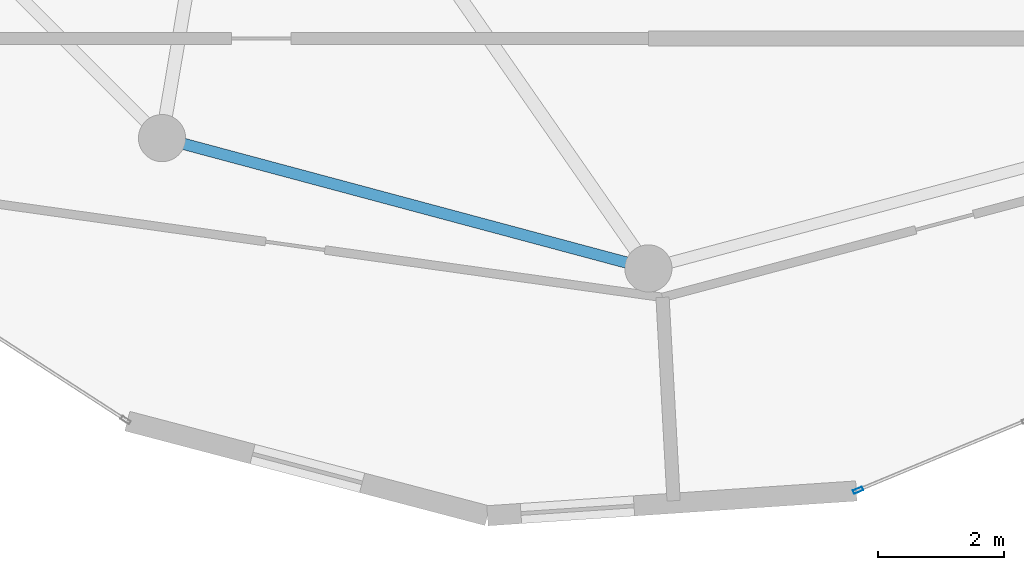
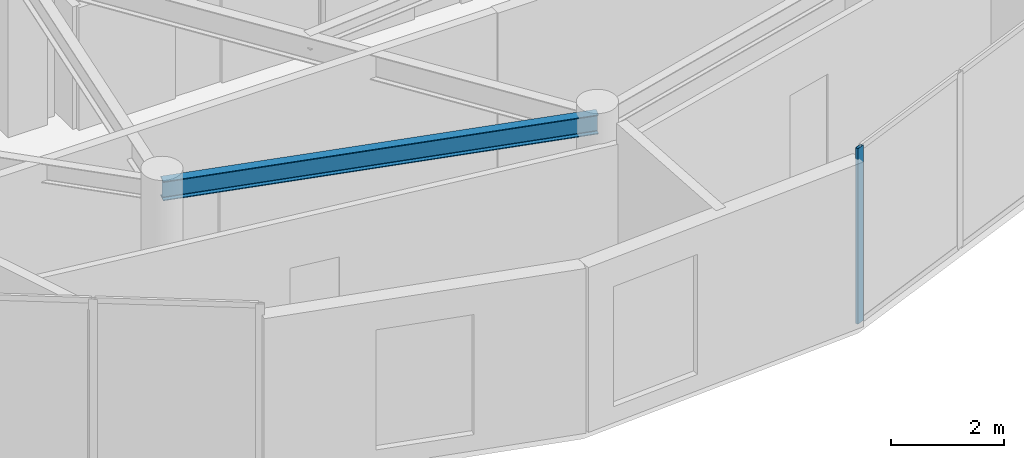
# One storey, part 5 of 22: 1 beam, 1 member, 1 element without a shape of its own.
"""IFC4 building model written with IfcOpenShell, lengths in metres."""

from ifc_helpers import new_model, si_unit, direction, frame, origin, origin_2d, place, context, subcontext, project, spatial, hollow_rectangle, i_section, extrude, source, transform, mapped, material, layer, layer_set, material_profile, profile_set, type_object, element, aggregate, save


model = new_model("IFC4")

# Units and contexts
model_context = context("Model", 3, precision=1e-05, world=origin(), true_north=direction((0.0, 1.0)))
body_context = subcontext(model_context, "Body", "Model", "MODEL_VIEW")
ifc_project = project(units=[si_unit("LENGTHUNIT", "METRE"), si_unit("AREAUNIT", "SQUARE_METRE"), si_unit("VOLUMEUNIT", "CUBIC_METRE"), si_unit("PLANEANGLEUNIT", "RADIAN"), si_unit("MASSUNIT", "GRAM", prefix="KILO")], contexts=[model_context])

# Site, building, storey
site_placement = place(None, origin())
site = spatial("IfcSite", under=ifc_project, at=site_placement, CompositionType="ELEMENT")
building_placement = place(site_placement, origin())
building = spatial("IfcBuilding", under=site, at=building_placement, Name="Solvirekh Grand Hotel", CompositionType="ELEMENT")
storey_placement = place(building_placement, frame((0.0, 0.0, 239.199951171875)))
storey = spatial("IfcBuildingStorey", under=building, at=storey_placement, Name="L62", CompositionType="ELEMENT", Elevation=239.199951171875)

# Beam
ifc_material_1 = material(Name="Steel S355", Category="steel")
ifc_material_profile_1 = material_profile(ifc_material_1, i_section(OverallWidth=0.180908203125, OverallDepth=0.4169921875, WebThickness=0.010009765625, FlangeThickness=0.01611328125, FilletRadius=0.011962890625, at=origin_2d()), Name="W410X85")
ifc_profile_set_1 = profile_set([ifc_material_profile_1], Name="Steel S355")
beam_type = type_object("IfcBeamType", Name="Spandrel_Ring_W410", PredefinedType="SPANDREL", material=ifc_profile_set_1)
beam_placement = place(storey_placement, frame((-7.72509765625, -13.3798828125, 3.362060546875), z_axis=(0.965921616143, -0.258834757072, 0.0), x_axis=(0.258834757072, 0.965921616143, 0.0)))
element("IfcBeam", 1, at=beam_placement, inside=storey, type_object=beam_type, Name="L62 perimeter spandrel beam 9", PredefinedType="SPANDREL", context=body_context, shape_type="SweptSolid", body=[
    extrude(i_section(OverallWidth=0.180908203125, OverallDepth=0.4169921875, WebThickness=0.010009765625, FlangeThickness=0.01611328125, FilletRadius=0.011962890625, at=origin_2d()), origin(), (0.0, 0.0, 1.0), 7.99755859375),
])

# Curtain wall, member
ifc_material_2 = material(Name="Anodized Bronze Aluminium 6063-T6", Category="aluminium")
ifc_layer = layer(ifc_material_2, 0.159912109375)
ifc_layer_set = layer_set([ifc_layer], Name="Anodized Bronze Aluminium 6063-T6")
curtain_wall_type = type_object("IfcCurtainWallType", Name="CW_Sys4_HighZoneFlushBronzeCW", PredefinedType="NOTDEFINED", material=ifc_layer_set)
curtain_wall_placement = place(storey_placement, origin())
curtain_wall = element("IfcCurtainWall", 2, at=curtain_wall_placement, inside=storey, type_object=curtain_wall_type, Name="L62 unitised bronze-glass curtain wall CW-L62-C01", PredefinedType="NOTDEFINED")
ifc_material_profile_2 = material_profile(ifc_material_2, hollow_rectangle(XDim=0.06005859375, YDim=0.159912109375, WallThickness=0.0048828125, at=origin_2d()), Name="ALU RHS 160X60X5")
ifc_profile_set_2 = profile_set([ifc_material_profile_2], Name="Anodized Bronze Aluminium 6063-T6")
member_type = type_object("IfcMemberType", Name="CWMullion_Sys4", PredefinedType="MULLION", material=ifc_profile_set_2)
shared_shape = source(origin(), body_context, "Body", "SweptSolid", [
    extrude(hollow_rectangle(XDim=0.06005859375, YDim=0.159912109375, WallThickness=0.0048828125, at=origin_2d()), origin(), (0.0, 0.0, 1.0), 3.800048828125),
])
member_placement = place(storey_placement, frame((3.330810546875, -18.973388671875, 0.0), z_axis=(0.0, 0.0, 1.0), x_axis=(-0.383514713871, 0.923534766126, 0.0)))
member = element("IfcMember", 3, at=member_placement, type_object=member_type, Name="U04 mullion 1", PredefinedType="MULLION", context=body_context, shape_type="MappedRepresentation", body=[
    mapped(shared_shape, transform((0.0, 0.0, 0.0), x_axis=(1.0, 0.0, 0.0), y_axis=(0.0, 1.0, 0.0), z_axis=(0.0, 0.0, 1.0), scale=1.0)),
])
aggregate(curtain_wall, [member])

save(model, "model.ifc")
